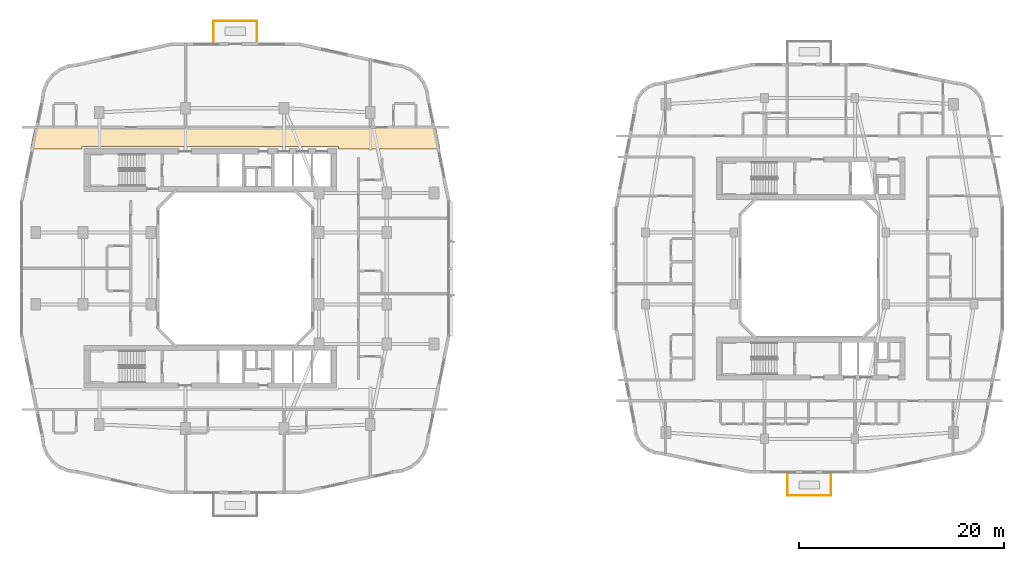
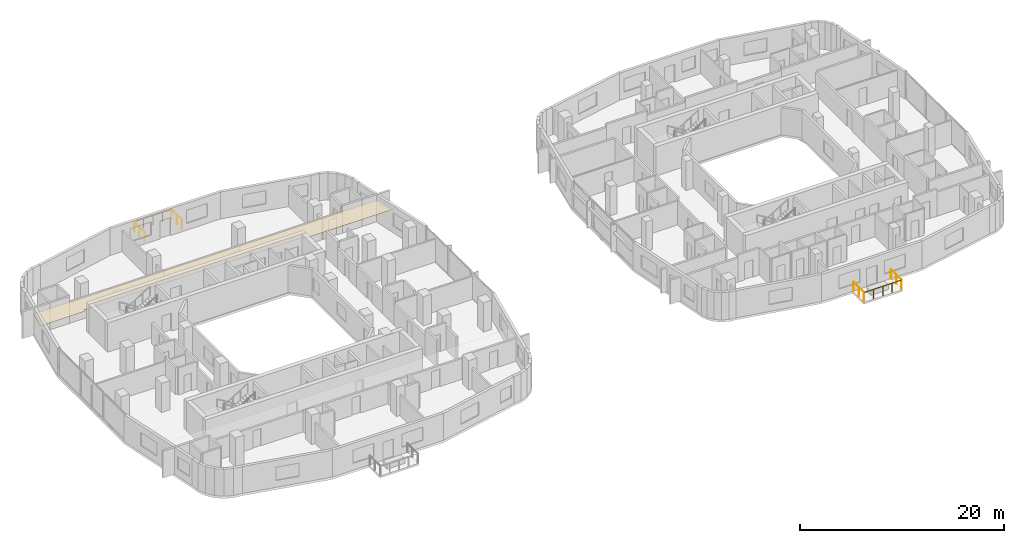
# One storey, part 21 of 22: 6 railings, 1 covering.
"""IFC4 building model written with IfcOpenShell, lengths in metres."""

from ifc_helpers import new_model, si_unit, derived_unit, direction, frame, origin, origin_2d, place, context, subcontext, project, spatial, polyline, circle, outline, extrude, material, layer, layer_set, type_object, element, save


model = new_model("IFC4")

# Units and contexts
model_context = context("Model", 3, precision=1e-05, world=origin(), true_north=direction((0.0, 1.0)))
body_context = subcontext(model_context, "Body", "Model", "MODEL_VIEW")
ifc_project = project(units=[si_unit("LENGTHUNIT", "METRE"), si_unit("AREAUNIT", "SQUARE_METRE"), si_unit("VOLUMEUNIT", "CUBIC_METRE"), si_unit("PLANEANGLEUNIT", "RADIAN"), si_unit("MASSUNIT", "GRAM", prefix="KILO"), derived_unit("THERMALTRANSMITTANCEUNIT", [(si_unit("POWERUNIT", "WATT"), 1), (si_unit("LENGTHUNIT", "METRE"), -2), (si_unit("THERMODYNAMICTEMPERATUREUNIT", "KELVIN"), -1)])], contexts=[model_context])

# Site, building, storey
site_placement = place(None, origin())
site = spatial("IfcSite", under=ifc_project, at=site_placement, CompositionType="ELEMENT")
building_placement = place(site_placement, origin())
building = spatial("IfcBuilding", under=site, at=building_placement, Name="Kivonza Crest Hotel", CompositionType="ELEMENT")
storey_placement = place(building_placement, frame((0.0, 0.0, 59.0)))
storey = spatial("IfcBuildingStorey", under=building, at=storey_placement, Name="L15", CompositionType="ELEMENT", Elevation=59.0)

# Covering
ifc_material_1 = material(Name="Mineral-fibre acoustic ceiling tile", Category="gypsum")
ifc_layer = layer(ifc_material_1, 0.02490234375)
ifc_layer_set = layer_set([ifc_layer], Name="Mineral-fibre acoustic ceiling tile")
covering_type = type_object("IfcCoveringType", Name="CV-CEIL-ACOU", PredefinedType="CEILING", material=ifc_layer_set)
covering_placement = place(storey_placement, frame((0.0, 0.0, 2.449951171875)))
element("IfcCovering", 1, at=covering_placement, inside=storey, type_object=covering_type, Name="L15 Hotel North Guest Corridor suspended ceiling", PredefinedType="CEILING", context=body_context, shape_type="SweptSolid", body=[
    extrude(outline(polyline([(1.506103515625, 38.7900390625), (1.06396484375, 36.6201171875), (6.10009765625, 36.6201171875), (6.10009765625, 36.860107421875), (31.10009765625, 36.860107421875), (31.10009765625, 36.6201171875), (41.01611328125, 36.6201171875), (40.573974609375, 38.7900390625), (1.506103515625, 38.7900390625)])), origin(), (0.0, 0.0, 1.0), 0.025146484375),
])

# Railings
ifc_material_2 = material(Name="Laminated glass and stainless steel balustrade", Category="steel")
railing_type = type_object("IfcRailingType", Name="RL-TERR-1150", PredefinedType="BALUSTRADE", material=ifc_material_2)
railing_1_placement = place(storey_placement, frame((18.919921875, 47.080078125, 0.0)))
element("IfcRailing", 2, at=railing_1_placement, inside=storey, type_object=railing_type, Name="L15 T1-L15-SG-NE perimeter safety balustrade 1", PredefinedType="BALUSTRADE", context=body_context, shape_type="SweptSolid", body=[
    extrude(circle(Radius=0.02392578125, at=origin_2d()), frame((0.0, 0.0, 1.1259765625), z_axis=(0.0, 1.0, 0.0), x_axis=(-1.0, 0.0, 0.0)), (0.0, 0.0, 1.0), 2.0400390625),
    extrude(circle(Radius=0.02099609375, at=origin_2d()), origin(), (0.0, 0.0, 1.0), 1.101806640625),
    extrude(circle(Radius=0.02099609375, at=origin_2d()), frame((0.0, 1.02001953125, 0.0)), (0.0, 0.0, 1.0), 1.101806640625),
    extrude(circle(Radius=0.02099609375, at=origin_2d()), frame((0.0, 2.0400390625, 0.0)), (0.0, 0.0, 1.0), 1.101806640625),
])
railing_2_placement = place(storey_placement, frame((18.919921875, 49.1201171875, 0.0)))
element("IfcRailing", 3, at=railing_2_placement, inside=storey, type_object=railing_type, Name="L15 T1-L15-SG-NE perimeter safety balustrade 2", PredefinedType="BALUSTRADE", context=body_context, shape_type="SweptSolid", body=[
    extrude(circle(Radius=0.02392578125, at=origin_2d()), frame((0.0, 0.0, 1.1259765625), z_axis=(1.0, 0.0, 0.0), x_axis=(0.0, 1.0, 0.0)), (0.0, 0.0, 1.0), 4.239990234375),
    extrude(circle(Radius=0.02099609375, at=origin_2d()), origin(), (0.0, 0.0, 1.0), 1.101806640625),
    extrude(circle(Radius=0.02099609375, at=origin_2d()), frame((1.06005859375, 0.0, 0.0)), (0.0, 0.0, 1.0), 1.101806640625),
    extrude(circle(Radius=0.02099609375, at=origin_2d()), frame((2.1201171875, 0.0, 0.0)), (0.0, 0.0, 1.0), 1.101806640625),
    extrude(circle(Radius=0.02099609375, at=origin_2d()), frame((3.179931640625, 0.0, 0.0)), (0.0, 0.0, 1.0), 1.101806640625),
    extrude(circle(Radius=0.02099609375, at=origin_2d()), frame((4.239990234375, 0.0, 0.0)), (0.0, 0.0, 1.0), 1.101806640625),
])
railing_3_placement = place(storey_placement, frame((23.159912109375, 49.1201171875, 0.0)))
element("IfcRailing", 4, at=railing_3_placement, inside=storey, type_object=railing_type, Name="L15 T1-L15-SG-NE perimeter safety balustrade 3", PredefinedType="BALUSTRADE", context=body_context, shape_type="SweptSolid", body=[
    extrude(circle(Radius=0.02392578125, at=origin_2d()), frame((0.0, 0.0, 1.1259765625), z_axis=(0.0, -1.0, 0.0), x_axis=(1.0, 0.0, 0.0)), (0.0, 0.0, 1.0), 2.0400390625),
    extrude(circle(Radius=0.02099609375, at=origin_2d()), origin(), (0.0, 0.0, 1.0), 1.101806640625),
    extrude(circle(Radius=0.02099609375, at=origin_2d()), frame((0.0, -1.02001953125, 0.0)), (0.0, 0.0, 1.0), 1.101806640625),
    extrude(circle(Radius=0.02099609375, at=origin_2d()), frame((0.0, -2.0400390625, 0.0)), (0.0, 0.0, 1.0), 1.101806640625),
])
railing_4_placement = place(storey_placement, frame((74.840087890625, 2.8798828125, 0.0)))
element("IfcRailing", 5, at=railing_4_placement, inside=storey, type_object=railing_type, Name="L15 T2-L15-SG-SW perimeter safety balustrade 1", PredefinedType="BALUSTRADE", context=body_context, shape_type="SweptSolid", body=[
    extrude(circle(Radius=0.02392578125, at=origin_2d()), frame((0.0, 0.0, 1.1259765625), z_axis=(0.0, 1.0, 0.0), x_axis=(-1.0, 0.0, 0.0)), (0.0, 0.0, 1.0), 2.0400390625),
    extrude(circle(Radius=0.02099609375, at=origin_2d()), origin(), (0.0, 0.0, 1.0), 1.101806640625),
    extrude(circle(Radius=0.02099609375, at=origin_2d()), frame((0.0, 1.02001953125, 0.0)), (0.0, 0.0, 1.0), 1.101806640625),
    extrude(circle(Radius=0.02099609375, at=origin_2d()), frame((0.0, 2.0400390625, 0.0)), (0.0, 0.0, 1.0), 1.101806640625),
])
railing_5_placement = place(storey_placement, frame((79.080078125, 4.919921875, 0.0)))
element("IfcRailing", 6, at=railing_5_placement, inside=storey, type_object=railing_type, Name="L15 T2-L15-SG-SW perimeter safety balustrade 2", PredefinedType="BALUSTRADE", context=body_context, shape_type="SweptSolid", body=[
    extrude(circle(Radius=0.02392578125, at=origin_2d()), frame((0.0, 0.0, 1.1259765625), z_axis=(0.0, -1.0, 0.0), x_axis=(1.0, 0.0, 0.0)), (0.0, 0.0, 1.0), 2.0400390625),
    extrude(circle(Radius=0.02099609375, at=origin_2d()), origin(), (0.0, 0.0, 1.0), 1.101806640625),
    extrude(circle(Radius=0.02099609375, at=origin_2d()), frame((0.0, -1.02001953125, 0.0)), (0.0, 0.0, 1.0), 1.101806640625),
    extrude(circle(Radius=0.02099609375, at=origin_2d()), frame((0.0, -2.0400390625, 0.0)), (0.0, 0.0, 1.0), 1.101806640625),
])
railing_6_placement = place(storey_placement, frame((79.080078125, 2.8798828125, 0.0)))
element("IfcRailing", 7, at=railing_6_placement, inside=storey, type_object=railing_type, Name="L15 T2-L15-SG-SW perimeter safety balustrade 3", PredefinedType="BALUSTRADE", context=body_context, shape_type="SweptSolid", body=[
    extrude(circle(Radius=0.02392578125, at=origin_2d()), frame((0.0, 0.0, 1.1259765625), z_axis=(-1.0, 0.0, 0.0), x_axis=(0.0, -1.0, 0.0)), (0.0, 0.0, 1.0), 4.239990234375),
    extrude(circle(Radius=0.02099609375, at=origin_2d()), origin(), (0.0, 0.0, 1.0), 1.101806640625),
    extrude(circle(Radius=0.02099609375, at=origin_2d()), frame((-1.06005859375, 0.0, 0.0)), (0.0, 0.0, 1.0), 1.101806640625),
    extrude(circle(Radius=0.02099609375, at=origin_2d()), frame((-2.1201171875, 0.0, 0.0)), (0.0, 0.0, 1.0), 1.101806640625),
    extrude(circle(Radius=0.02099609375, at=origin_2d()), frame((-3.179931640625, 0.0, 0.0)), (0.0, 0.0, 1.0), 1.101806640625),
    extrude(circle(Radius=0.02099609375, at=origin_2d()), frame((-4.239990234375, 0.0, 0.0)), (0.0, 0.0, 1.0), 1.101806640625),
])

save(model, "model.ifc")
